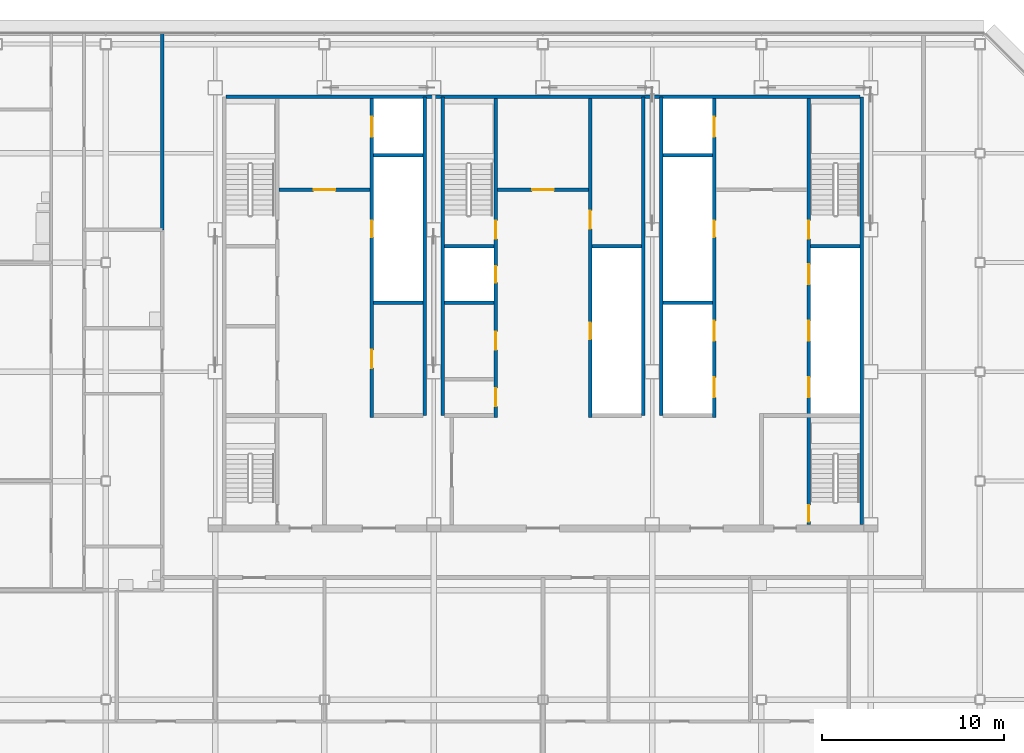
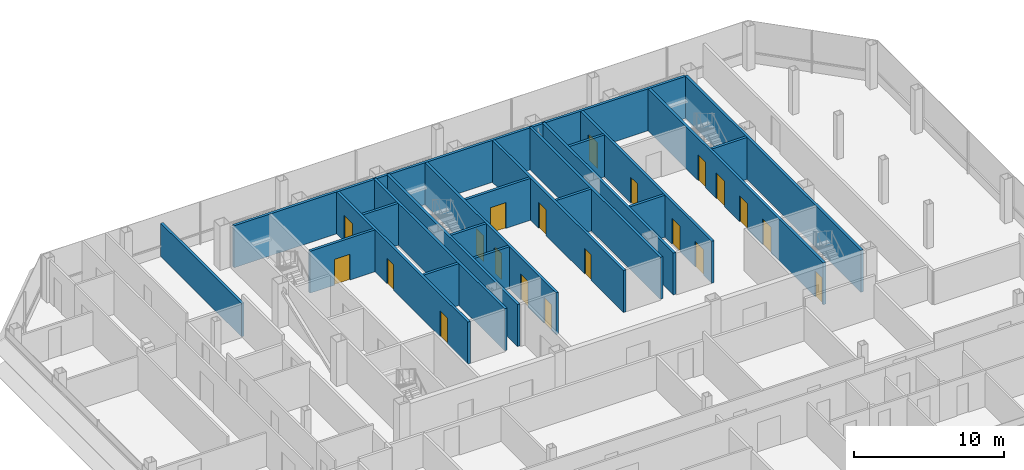
# One storey, part 24 of 27: 22 walls, 20 doors, 20 openings.
"""IFC4 building model written with IfcOpenShell, lengths in metres."""

from ifc_helpers import new_model, si_unit, direction, frame, frame_2d, origin, place, context, subcontext, project, spatial, rectangle, extrude, material, layer, layer_set, type_object, element, fill, save


model = new_model("IFC4")

# Units and contexts
model_context = context("Model", 3, precision=1e-05, world=origin(), true_north=direction((0.0, 1.0)))
body_context = subcontext(model_context, "Body", "Model", "MODEL_VIEW")
ifc_project = project(units=[si_unit("LENGTHUNIT", "METRE"), si_unit("AREAUNIT", "SQUARE_METRE"), si_unit("VOLUMEUNIT", "CUBIC_METRE"), si_unit("PLANEANGLEUNIT", "RADIAN"), si_unit("MASSUNIT", "GRAM", prefix="KILO")], contexts=[model_context])

# Site, building, storey
site_placement = place(None, origin())
site = spatial("IfcSite", under=ifc_project, at=site_placement, CompositionType="ELEMENT")
building_placement = place(site_placement, origin())
building = spatial("IfcBuilding", under=site, at=building_placement, Name="Sorahane Residences", CompositionType="ELEMENT")
storey_placement = place(building_placement, frame((0.0, 0.0, 246.800048828125)))
storey = spatial("IfcBuildingStorey", under=building, at=storey_placement, Name="L58", CompositionType="ELEMENT", Elevation=246.800048828125)

# Walls
ifc_material_1 = material(Name="Concrete C30", Category="concrete")
ifc_layer_1 = layer(ifc_material_1, 0.199951171875)
ifc_layer_set_1 = layer_set([ifc_layer_1], Name="Core face wall 200 EI 180")
wall_type_1 = type_object("IfcWallType", Name="Core face wall 200 EI 180", PredefinedType="SOLIDWALL", material=ifc_layer_set_1)
wall_1_placement = place(storey_placement, frame((41.5, 21.60009765625, 0.0), z_axis=(0.0, 0.0, 1.0), x_axis=(0.0, 1.0, 0.0)))
element("IfcWall", 1, at=wall_1_placement, inside=storey, type_object=wall_type_1, Name="L58 core face wall", PredefinedType="SOLIDWALL", context=body_context, shape_type="SweptSolid", body=[
    extrude(rectangle(XDim=23.5, YDim=0.199951171875, at=frame_2d((11.75, 0.0))), origin(), (0.0, 0.0, 1.0), 3.419921875),
])
wall_2_placement = place(storey_placement, frame((6.60009765625, 45.10009765625, 0.0), z_axis=(0.0, 0.0, 1.0), x_axis=(1.0, 0.0, 0.0)))
element("IfcWall", 2, at=wall_2_placement, inside=storey, type_object=wall_type_1, Name="L58 core face wall", PredefinedType="SOLIDWALL", context=body_context, shape_type="SweptSolid", body=[
    extrude(rectangle(XDim=34.7998046875, YDim=0.199951171875, at=frame_2d((17.39990234375, 0.0))), origin(), (0.0, 0.0, 1.0), 3.419921875),
])
for number, where, z_axis, x_axis, name in (
    (3, (17.5, 27.60009765625, 0.0), (0.0, 0.0, 1.0), (0.0, 1.0, 0.0), "L58 core face wall"),
    (4, (18.5, 27.60009765625, 0.0), (0.0, 0.0, 1.0), (0.0, 1.0, 0.0), "L58 core face wall"),
    (5, (29.5, 27.60009765625, 0.0), (0.0, 0.0, 1.0), (0.0, 1.0, 0.0), "L58 core face wall"),
    (6, (30.5, 27.60009765625, 0.0), (0.0, 0.0, 1.0), (0.0, 1.0, 0.0), "L58 core face wall"),
):
    element("IfcWall", number, at=place(storey_placement, frame(where, z_axis=z_axis, x_axis=x_axis)), inside=storey, type_object=wall_type_1, Name=name, PredefinedType="SOLIDWALL", context=body_context, shape_type="SweptSolid", body=[
        extrude(rectangle(XDim=17.5, YDim=0.199951171875, at=frame_2d((8.75, 0.0))), origin(), (0.0, 0.0, 1.0), 3.419921875),
    ])
ifc_material_2 = material(Name="Concrete blockwork C20 wall", Category="masonry")
ifc_layer_2 = layer(ifc_material_2, 0.199951171875)
ifc_layer_set_2 = layer_set([ifc_layer_2], Name="Corridor wall 200 EI 120")
wall_type_2 = type_object("IfcWallType", Name="Corridor wall 200 EI 120", PredefinedType="SOLIDWALL", material=ifc_layer_set_2)
wall_3_placement = place(storey_placement, frame((3.10009765625, 37.800048828125, 0.0), z_axis=(0.0, 0.0, 1.0), x_axis=(0.0, 1.0, 0.0)))
element("IfcWall", 7, at=wall_3_placement, inside=storey, type_object=wall_type_2, Name="L58 corridor wall", PredefinedType="SOLIDWALL", context=body_context, shape_type="SweptSolid", body=[
    extrude(rectangle(XDim=10.800048828125, YDim=0.199951171875, at=frame_2d((5.39990234375, 0.0))), origin(), (0.0, 0.0, 1.0), 2.719970703125),
])

# Wall, opening, door
ifc_material_3 = material(Name="Concrete C30", Category="concrete")
ifc_layer_3 = layer(ifc_material_3, 0.199951171875)
ifc_layer_set_3 = layer_set([ifc_layer_3], Name="Front room wall 200 EI 120")
wall_type_3 = type_object("IfcWallType", Name="Front room wall 200 EI 120", PredefinedType="PARTITIONING", material=ifc_layer_set_3)
wall_4_placement = place(storey_placement, frame((21.5, 40.0, 0.0), z_axis=(0.0, 0.0, 1.0), x_axis=(1.0, 0.0, 0.0)))
wall_4 = element("IfcWall", 8, at=wall_4_placement, inside=storey, type_object=wall_type_3, Name="L58 front room wall", PredefinedType="PARTITIONING", context=body_context, shape_type="SweptSolid", body=[
    extrude(rectangle(XDim=5.0, YDim=0.199951171875, at=frame_2d((2.5, 0.0))), origin(), (0.0, 0.0, 1.0), 3.419921875),
])
opening_1_placement = place(wall_4_placement, frame((1.89990234375, 0.0, 0.0)))
opening_1 = element("IfcOpeningElement", 9, at=opening_1_placement, cuts=wall_4, Name="Opening L58-C08", PredefinedType="OPENING", context=body_context, shape_type="SweptSolid", body=[
    extrude(rectangle(XDim=1.199951171875, YDim=2.10009765625, at=frame_2d((0.60009765625, 1.050048828125))), frame((0.0, 0.10986328125, 0.0), z_axis=(0.0, -1.0, 0.0), x_axis=(1.0, 0.0, 0.0)), (0.0, 0.0, 1.0), 0.219970703125),
])
ifc_material_4 = material(Name="Steel", Category="steel")
door_type_1 = type_object("IfcDoorType", Name="Front room door 1200x2100 FD120", OperationType="NOTDEFINED", PredefinedType="DOOR", material=ifc_material_4)
door_1_placement = place(opening_1_placement, frame((1.199951171875, 0.0, 0.0), z_axis=(0.0, 0.0, 1.0), x_axis=(-1.0, 0.0, 0.0)))
door_1 = element("IfcDoor", 10, at=door_1_placement, inside=storey, type_object=door_type_1, Name="Front room door Stair S3 vestibule L58", OperationType="DOUBLE_DOOR_SINGLE_SWING", OverallHeight=2.10009765625, OverallWidth=1.199951171875, PredefinedType="DOOR", context=body_context, shape_type="SweptSolid", body=[
    extrude(rectangle(XDim=1.199951171875, YDim=2.10009765625, at=frame_2d((0.60009765625, 1.050048828125))), frame((0.0, 0.02490234375, 0.0), z_axis=(0.0, -1.0, 0.0), x_axis=(1.0, 0.0, 0.0)), (0.0, 0.0, 1.0), 0.050048828125),
])
fill(opening_1, door_1)

wall_5_placement = place(storey_placement, frame((9.5, 40.0, 0.0), z_axis=(0.0, 0.0, 1.0), x_axis=(1.0, 0.0, 0.0)))
wall_5 = element("IfcWall", 11, at=wall_5_placement, inside=storey, type_object=wall_type_3, Name="L58 front room wall", PredefinedType="PARTITIONING", context=body_context, shape_type="SweptSolid", body=[
    extrude(rectangle(XDim=5.0, YDim=0.199951171875, at=frame_2d((2.5, 0.0))), origin(), (0.0, 0.0, 1.0), 3.419921875),
])
opening_2_placement = place(wall_5_placement, frame((1.89990234375, 0.0, 0.0)))
opening_2 = element("IfcOpeningElement", 12, at=opening_2_placement, cuts=wall_5, Name="Opening L58-C07", PredefinedType="OPENING", context=body_context, shape_type="SweptSolid", body=[
    extrude(rectangle(XDim=1.199951171875, YDim=2.10009765625, at=frame_2d((0.60009765625, 1.050048828125))), frame((0.0, 0.10986328125, 0.0), z_axis=(0.0, -1.0, 0.0), x_axis=(1.0, 0.0, 0.0)), (0.0, 0.0, 1.0), 0.219970703125),
])
door_2_placement = place(opening_2_placement, frame((1.199951171875, 0.0, 0.0), z_axis=(0.0, 0.0, 1.0), x_axis=(-1.0, 0.0, 0.0)))
door_2 = element("IfcDoor", 13, at=door_2_placement, inside=storey, type_object=door_type_1, Name="Front room door Firefighting lobby FF1 front room L58", OperationType="DOUBLE_DOOR_SINGLE_SWING", OverallHeight=2.10009765625, OverallWidth=1.199951171875, PredefinedType="DOOR", context=body_context, shape_type="SweptSolid", body=[
    extrude(rectangle(XDim=1.199951171875, YDim=2.10009765625, at=frame_2d((0.60009765625, 1.050048828125))), frame((0.0, 0.02490234375, 0.0), z_axis=(0.0, -1.0, 0.0), x_axis=(1.0, 0.0, 0.0)), (0.0, 0.0, 1.0), 0.050048828125),
])
fill(opening_2, door_2)

# Wall, openings, doors
ifc_material_5 = material(Name="Concrete C30", Category="concrete")
ifc_layer_4 = layer(ifc_material_5, 0.199951171875)
ifc_layer_set_4 = layer_set([ifc_layer_4], Name="Lift shaft wall 200 EI 120")
wall_type_4 = type_object("IfcWallType", Name="Lift shaft wall 200 EI 120", PredefinedType="SOLIDWALL", material=ifc_layer_set_4)
wall_6_placement = place(storey_placement, frame((14.60009765625, 27.5, 0.0), z_axis=(0.0, 0.0, 1.0), x_axis=(0.0, 1.0, 0.0)))
wall_6 = element("IfcWall", 14, at=wall_6_placement, inside=storey, type_object=wall_type_4, Name="L58 lift shaft wall", PredefinedType="SOLIDWALL", context=body_context, shape_type="SweptSolid", body=[
    extrude(rectangle(XDim=17.5, YDim=0.199951171875, at=frame_2d((8.75, 0.0))), origin(), (0.0, 0.0, 1.0), 3.419921875),
])
opening_3_placement = place(wall_6_placement, frame((15.39990234375, 0.0, 0.0)))
opening_3 = element("IfcOpeningElement", 15, at=opening_3_placement, cuts=wall_6, Name="Opening L58-C16", PredefinedType="OPENING", context=body_context, shape_type="SweptSolid", body=[
    extrude(rectangle(XDim=1.10009765625, YDim=2.10009765625, at=frame_2d((0.550048828125, 1.050048828125))), frame((0.0, 0.10986328125, 0.0), z_axis=(0.0, -1.0, 0.0), x_axis=(1.0, 0.0, 0.0)), (0.0, 0.0, 1.0), 0.219970703125),
])
opening_4_placement = place(wall_6_placement, frame((2.699951171875, 0.0, 0.0)))
opening_4 = element("IfcOpeningElement", 16, at=opening_4_placement, cuts=wall_6, Name="Opening L58-C19", PredefinedType="OPENING", context=body_context, shape_type="SweptSolid", body=[
    extrude(rectangle(XDim=1.0, YDim=2.10009765625, at=frame_2d((0.5, 1.050048828125))), frame((0.0, 0.10986328125, 0.0), z_axis=(0.0, -1.0, 0.0), x_axis=(1.0, 0.0, 0.0)), (0.0, 0.0, 1.0), 0.219970703125),
])
opening_5_placement = place(wall_6_placement, frame((9.89990234375, 0.0, 0.0)))
opening_5 = element("IfcOpeningElement", 17, at=opening_5_placement, cuts=wall_6, Name="Opening L58-C27", PredefinedType="OPENING", context=body_context, shape_type="SweptSolid", body=[
    extrude(rectangle(XDim=0.89990234375, YDim=2.10009765625, at=frame_2d((0.449951171875, 1.050048828125))), frame((0.0, 0.10986328125, 0.0), z_axis=(0.0, -1.0, 0.0), x_axis=(1.0, 0.0, 0.0)), (0.0, 0.0, 1.0), 0.219970703125),
])
ifc_material_6 = material(Name="Aluminium and stainless steel", Category="steel")
door_type_2 = type_object("IfcDoorType", Name="Lift landing door 1100x2100 E 60", OperationType="NOTDEFINED", PredefinedType="DOOR", material=ifc_material_6)
door_3_placement = place(opening_3_placement, origin())
door_3 = element("IfcDoor", 18, at=door_3_placement, inside=storey, type_object=door_type_2, Name="Lift landing door FF1 L58", OperationType="DOUBLE_DOOR_SLIDING", OverallHeight=2.10009765625, OverallWidth=1.10009765625, PredefinedType="DOOR", context=body_context, shape_type="SweptSolid", body=[
    extrude(rectangle(XDim=1.10009765625, YDim=2.10009765625, at=frame_2d((0.550048828125, 1.050048828125))), frame((0.0, 0.02490234375, 0.0), z_axis=(0.0, -1.0, 0.0), x_axis=(1.0, 0.0, 0.0)), (0.0, 0.0, 1.0), 0.050048828125),
])
fill(opening_3, door_3)
ifc_material_7 = material(Name="Steel", Category="steel")
door_type_3 = type_object("IfcDoorType", Name="Riser door 900x2100 FD120", OperationType="NOTDEFINED", PredefinedType="DOOR", material=ifc_material_7)
door_4_placement = place(opening_5_placement, origin())
door_4 = element("IfcDoor", 19, at=door_4_placement, inside=storey, type_object=door_type_3, Name="Riser door R1 L58", OperationType="SINGLE_SWING_LEFT", OverallHeight=2.10009765625, OverallWidth=0.89990234375, PredefinedType="DOOR", context=body_context, shape_type="SweptSolid", body=[
    extrude(rectangle(XDim=0.89990234375, YDim=2.10009765625, at=frame_2d((0.449951171875, 1.050048828125))), frame((0.0, 0.02490234375, 0.0), z_axis=(0.0, -1.0, 0.0), x_axis=(1.0, 0.0, 0.0)), (0.0, 0.0, 1.0), 0.050048828125),
])
fill(opening_5, door_4)
ifc_material_8 = material(Name="Steel", Category="steel")
door_type_4 = type_object("IfcDoorType", Name="Service room door 1000x2100 FD60", OperationType="NOTDEFINED", PredefinedType="DOOR", material=ifc_material_8)
door_5_placement = place(opening_4_placement, frame((1.0, 0.0, 0.0), z_axis=(0.0, 0.0, 1.0), x_axis=(-1.0, 0.0, 0.0)))
door_5 = element("IfcDoor", 20, at=door_5_placement, inside=storey, type_object=door_type_4, Name="Service room door Guest suite store L58", OperationType="SINGLE_SWING_RIGHT", OverallHeight=2.10009765625, OverallWidth=1.0, PredefinedType="DOOR", context=body_context, shape_type="SweptSolid", body=[
    extrude(rectangle(XDim=1.0, YDim=2.10009765625, at=frame_2d((0.5, 1.050048828125))), frame((0.0, 0.02490234375, 0.0), z_axis=(0.0, -1.0, 0.0), x_axis=(1.0, 0.0, 0.0)), (0.0, 0.0, 1.0), 0.050048828125),
])
fill(opening_4, door_5)

wall_7_placement = place(storey_placement, frame((33.39990234375, 27.5, 0.0), z_axis=(0.0, 0.0, 1.0), x_axis=(0.0, 1.0, 0.0)))
wall_7 = element("IfcWall", 21, at=wall_7_placement, inside=storey, type_object=wall_type_4, Name="L58 lift shaft wall", PredefinedType="SOLIDWALL", context=body_context, shape_type="SweptSolid", body=[
    extrude(rectangle(XDim=17.5, YDim=0.199951171875, at=frame_2d((8.75, 0.0))), origin(), (0.0, 0.0, 1.0), 3.419921875),
])
opening_6_placement = place(wall_7_placement, frame((1.10009765625, 0.0, 0.0)))
opening_6 = element("IfcOpeningElement", 22, at=opening_6_placement, cuts=wall_7, Name="Opening L58-C13", PredefinedType="OPENING", context=body_context, shape_type="SweptSolid", body=[
    extrude(rectangle(XDim=1.10009765625, YDim=2.10009765625, at=frame_2d((0.550048828125, 1.050048828125))), frame((0.0, 0.10986328125, 0.0), z_axis=(0.0, -1.0, 0.0), x_axis=(1.0, 0.0, 0.0)), (0.0, 0.0, 1.0), 0.219970703125),
])
opening_7_placement = place(wall_7_placement, frame((4.199951171875, 0.0, 0.0)))
opening_7 = element("IfcOpeningElement", 23, at=opening_7_placement, cuts=wall_7, Name="Opening L58-C14", PredefinedType="OPENING", context=body_context, shape_type="SweptSolid", body=[
    extrude(rectangle(XDim=1.10009765625, YDim=2.10009765625, at=frame_2d((0.550048828125, 1.050048828125))), frame((0.0, 0.10986328125, 0.0), z_axis=(0.0, -1.0, 0.0), x_axis=(1.0, 0.0, 0.0)), (0.0, 0.0, 1.0), 0.219970703125),
])
opening_8_placement = place(wall_7_placement, frame((15.39990234375, 0.0, 0.0)))
opening_8 = element("IfcOpeningElement", 24, at=opening_8_placement, cuts=wall_7, Name="Opening L58-C15", PredefinedType="OPENING", context=body_context, shape_type="SweptSolid", body=[
    extrude(rectangle(XDim=1.10009765625, YDim=2.10009765625, at=frame_2d((0.550048828125, 1.050048828125))), frame((0.0, 0.10986328125, 0.0), z_axis=(0.0, -1.0, 0.0), x_axis=(1.0, 0.0, 0.0)), (0.0, 0.0, 1.0), 0.219970703125),
])
opening_9_placement = place(wall_7_placement, frame((9.89990234375, 0.0, 0.0)))
opening_9 = element("IfcOpeningElement", 25, at=opening_9_placement, cuts=wall_7, Name="Opening L58-C28", PredefinedType="OPENING", context=body_context, shape_type="SweptSolid", body=[
    extrude(rectangle(XDim=0.89990234375, YDim=2.10009765625, at=frame_2d((0.449951171875, 1.050048828125))), frame((0.0, 0.10986328125, 0.0), z_axis=(0.0, -1.0, 0.0), x_axis=(1.0, 0.0, 0.0)), (0.0, 0.0, 1.0), 0.219970703125),
])
door_6_placement = place(opening_6_placement, origin())
door_6 = element("IfcDoor", 26, at=door_6_placement, inside=storey, type_object=door_type_2, Name="Lift landing door HR4 L58", OperationType="DOUBLE_DOOR_SLIDING", OverallHeight=2.10009765625, OverallWidth=1.10009765625, PredefinedType="DOOR", context=body_context, shape_type="SweptSolid", body=[
    extrude(rectangle(XDim=1.10009765625, YDim=2.10009765625, at=frame_2d((0.550048828125, 1.050048828125))), frame((0.0, 0.02490234375, 0.0), z_axis=(0.0, -1.0, 0.0), x_axis=(1.0, 0.0, 0.0)), (0.0, 0.0, 1.0), 0.050048828125),
])
fill(opening_6, door_6)
door_7_placement = place(opening_7_placement, origin())
door_7 = element("IfcDoor", 27, at=door_7_placement, inside=storey, type_object=door_type_2, Name="Lift landing door HR5 L58", OperationType="DOUBLE_DOOR_SLIDING", OverallHeight=2.10009765625, OverallWidth=1.10009765625, PredefinedType="DOOR", context=body_context, shape_type="SweptSolid", body=[
    extrude(rectangle(XDim=1.10009765625, YDim=2.10009765625, at=frame_2d((0.550048828125, 1.050048828125))), frame((0.0, 0.02490234375, 0.0), z_axis=(0.0, -1.0, 0.0), x_axis=(1.0, 0.0, 0.0)), (0.0, 0.0, 1.0), 0.050048828125),
])
fill(opening_7, door_7)
door_8_placement = place(opening_8_placement, origin())
door_8 = element("IfcDoor", 28, at=door_8_placement, inside=storey, type_object=door_type_2, Name="Lift landing door FF2 L58", OperationType="DOUBLE_DOOR_SLIDING", OverallHeight=2.10009765625, OverallWidth=1.10009765625, PredefinedType="DOOR", context=body_context, shape_type="SweptSolid", body=[
    extrude(rectangle(XDim=1.10009765625, YDim=2.10009765625, at=frame_2d((0.550048828125, 1.050048828125))), frame((0.0, 0.02490234375, 0.0), z_axis=(0.0, -1.0, 0.0), x_axis=(1.0, 0.0, 0.0)), (0.0, 0.0, 1.0), 0.050048828125),
])
fill(opening_8, door_8)
door_9_placement = place(opening_9_placement, frame((0.89990234375, 0.0, 0.0), z_axis=(0.0, 0.0, 1.0), x_axis=(-1.0, 0.0, 0.0)))
door_9 = element("IfcDoor", 29, at=door_9_placement, inside=storey, type_object=door_type_3, Name="Riser door R2 L58", OperationType="SINGLE_SWING_LEFT", OverallHeight=2.10009765625, OverallWidth=0.89990234375, PredefinedType="DOOR", context=body_context, shape_type="SweptSolid", body=[
    extrude(rectangle(XDim=0.89990234375, YDim=2.10009765625, at=frame_2d((0.449951171875, 1.050048828125))), frame((0.0, 0.02490234375, 0.0), z_axis=(0.0, -1.0, 0.0), x_axis=(1.0, 0.0, 0.0)), (0.0, 0.0, 1.0), 0.050048828125),
])
fill(opening_9, door_9)

# Walls
for number, where, z_axis, x_axis, name in (
    (30, (30.60009765625, 33.800048828125, 0.0), (0.0, 0.0, 1.0), (1.0, 0.0, 0.0), "L58 lift shaft wall"),
    (31, (14.699951171875, 41.89990234375, 0.0), (0.0, 0.0, 1.0), (1.0, 0.0, 0.0), "L58 lift shaft wall"),
    (32, (30.60009765625, 41.89990234375, 0.0), (0.0, 0.0, 1.0), (1.0, 0.0, 0.0), "L58 lift shaft wall"),
):
    element("IfcWall", number, at=place(storey_placement, frame(where, z_axis=z_axis, x_axis=x_axis)), inside=storey, type_object=wall_type_4, Name=name, PredefinedType="SOLIDWALL", context=body_context, shape_type="SweptSolid", body=[
        extrude(rectangle(XDim=2.699951171875, YDim=0.199951171875, at=frame_2d((1.35009765625, 0.0))), origin(), (0.0, 0.0, 1.0), 3.419921875),
    ])

# Wall, openings, doors
ifc_material_9 = material(Name="Concrete C30", Category="concrete")
ifc_layer_5 = layer(ifc_material_9, 0.199951171875)
ifc_layer_set_5 = layer_set([ifc_layer_5], Name="Riser shaft wall 200 EI 120")
wall_type_5 = type_object("IfcWallType", Name="Riser shaft wall 200 EI 120", PredefinedType="SOLIDWALL", material=ifc_layer_set_5)
wall_8_placement = place(storey_placement, frame((26.60009765625, 27.5, 0.0), z_axis=(0.0, 0.0, 1.0), x_axis=(0.0, 1.0, 0.0)))
wall_8 = element("IfcWall", 33, at=wall_8_placement, inside=storey, type_object=wall_type_5, Name="L58 riser wall", PredefinedType="SOLIDWALL", context=body_context, shape_type="SweptSolid", body=[
    extrude(rectangle(XDim=17.5, YDim=0.199951171875, at=frame_2d((8.75, 0.0))), origin(), (0.0, 0.0, 1.0), 3.419921875),
])
opening_10_placement = place(wall_8_placement, frame((4.300048828125, 0.0, 0.0)))
opening_10 = element("IfcOpeningElement", 34, at=opening_10_placement, cuts=wall_8, Name="Opening L58-C30", PredefinedType="OPENING", context=body_context, shape_type="SweptSolid", body=[
    extrude(rectangle(XDim=0.89990234375, YDim=2.10009765625, at=frame_2d((0.449951171875, 1.050048828125))), frame((0.0, 0.10986328125, 0.0), z_axis=(0.0, -1.0, 0.0), x_axis=(1.0, 0.0, 0.0)), (0.0, 0.0, 1.0), 0.219970703125),
])
opening_11_placement = place(wall_8_placement, frame((10.35009765625, 0.0, 0.0)))
opening_11 = element("IfcOpeningElement", 35, at=opening_11_placement, cuts=wall_8, Name="Opening L58-C31", PredefinedType="OPENING", context=body_context, shape_type="SweptSolid", body=[
    extrude(rectangle(XDim=1.0, YDim=2.10009765625, at=frame_2d((0.5, 1.050048828125))), frame((0.0, 0.10986328125, 0.0), z_axis=(0.0, -1.0, 0.0), x_axis=(1.0, 0.0, 0.0)), (0.0, 0.0, 1.0), 0.219970703125),
])
door_10_placement = place(opening_10_placement, origin())
door_10 = element("IfcDoor", 36, at=door_10_placement, inside=storey, type_object=door_type_3, Name="Riser door R4 L58", OperationType="SINGLE_SWING_LEFT", OverallHeight=2.10009765625, OverallWidth=0.89990234375, PredefinedType="DOOR", context=body_context, shape_type="SweptSolid", body=[
    extrude(rectangle(XDim=0.89990234375, YDim=2.10009765625, at=frame_2d((0.449951171875, 1.050048828125))), frame((0.0, 0.02490234375, 0.0), z_axis=(0.0, -1.0, 0.0), x_axis=(1.0, 0.0, 0.0)), (0.0, 0.0, 1.0), 0.050048828125),
])
fill(opening_10, door_10)
door_11_placement = place(opening_11_placement, frame((1.0, 0.0, 0.0), z_axis=(0.0, 0.0, 1.0), x_axis=(-1.0, 0.0, 0.0)))
door_11 = element("IfcDoor", 37, at=door_11_placement, inside=storey, type_object=door_type_4, Name="Service room door Housekeeping store L58", OperationType="SINGLE_SWING_LEFT", OverallHeight=2.10009765625, OverallWidth=1.0, PredefinedType="DOOR", context=body_context, shape_type="SweptSolid", body=[
    extrude(rectangle(XDim=1.0, YDim=2.10009765625, at=frame_2d((0.5, 1.050048828125))), frame((0.0, 0.02490234375, 0.0), z_axis=(0.0, -1.0, 0.0), x_axis=(1.0, 0.0, 0.0)), (0.0, 0.0, 1.0), 0.050048828125),
])
fill(opening_11, door_11)

# Walls
for number, where, z_axis, x_axis, name in (
    (38, (14.699951171875, 33.800048828125, 0.0), (0.0, 0.0, 1.0), (1.0, 0.0, 0.0), "L58 riser wall"),
    (39, (18.60009765625, 33.800048828125, 0.0), (0.0, 0.0, 1.0), (1.0, 0.0, 0.0), "L58 riser wall"),
    (40, (26.699951171875, 36.89990234375, 0.0), (0.0, 0.0, 1.0), (1.0, 0.0, 0.0), "L58 riser wall"),
):
    element("IfcWall", number, at=place(storey_placement, frame(where, z_axis=z_axis, x_axis=x_axis)), inside=storey, type_object=wall_type_5, Name=name, PredefinedType="SOLIDWALL", context=body_context, shape_type="SweptSolid", body=[
        extrude(rectangle(XDim=2.699951171875, YDim=0.199951171875, at=frame_2d((1.35009765625, 0.0))), origin(), (0.0, 0.0, 1.0), 3.419921875),
    ])

# Wall, openings, doors
ifc_material_10 = material(Name="Concrete C30", Category="concrete")
ifc_layer_6 = layer(ifc_material_10, 0.199951171875)
ifc_layer_set_6 = layer_set([ifc_layer_6], Name="Stair enclosure wall 200 EI 120")
wall_type_6 = type_object("IfcWallType", Name="Stair enclosure wall 200 EI 120", PredefinedType="SOLIDWALL", material=ifc_layer_set_6)
wall_9_placement = place(storey_placement, frame((21.39990234375, 27.5, 0.0), z_axis=(0.0, 0.0, 1.0), x_axis=(0.0, 1.0, 0.0)))
wall_9 = element("IfcWall", 41, at=wall_9_placement, inside=storey, type_object=wall_type_6, Name="L58 stair enclosure wall", PredefinedType="SOLIDWALL", context=body_context, shape_type="SweptSolid", body=[
    extrude(rectangle(XDim=17.5, YDim=0.199951171875, at=frame_2d((8.75, 0.0))), origin(), (0.0, 0.0, 1.0), 3.419921875),
])
opening_12_placement = place(wall_9_placement, frame((0.60009765625, 0.0, 0.0)))
opening_12 = element("IfcOpeningElement", 42, at=opening_12_placement, cuts=wall_9, Name="Opening L58-C17", PredefinedType="OPENING", context=body_context, shape_type="SweptSolid", body=[
    extrude(rectangle(XDim=1.0, YDim=2.10009765625, at=frame_2d((0.5, 1.050048828125))), frame((0.0, 0.10986328125, 0.0), z_axis=(0.0, -1.0, 0.0), x_axis=(1.0, 0.0, 0.0)), (0.0, 0.0, 1.0), 0.219970703125),
])
opening_13_placement = place(wall_9_placement, frame((3.699951171875, 0.0, 0.0)))
opening_13 = element("IfcOpeningElement", 43, at=opening_13_placement, cuts=wall_9, Name="Opening L58-C18", PredefinedType="OPENING", context=body_context, shape_type="SweptSolid", body=[
    extrude(rectangle(XDim=1.0, YDim=2.10009765625, at=frame_2d((0.5, 1.050048828125))), frame((0.0, 0.10986328125, 0.0), z_axis=(0.0, -1.0, 0.0), x_axis=(1.0, 0.0, 0.0)), (0.0, 0.0, 1.0), 0.219970703125),
])
opening_14_placement = place(wall_9_placement, frame((9.800048828125, 0.0, 0.0)))
opening_14 = element("IfcOpeningElement", 44, at=opening_14_placement, cuts=wall_9, Name="Opening L58-C24", PredefinedType="OPENING", context=body_context, shape_type="SweptSolid", body=[
    extrude(rectangle(XDim=1.0, YDim=2.10009765625, at=frame_2d((0.5, 1.050048828125))), frame((0.0, 0.10986328125, 0.0), z_axis=(0.0, -1.0, 0.0), x_axis=(1.0, 0.0, 0.0)), (0.0, 0.0, 1.0), 0.219970703125),
])
opening_15_placement = place(wall_9_placement, frame((7.39990234375, 0.0, 0.0)))
opening_15 = element("IfcOpeningElement", 45, at=opening_15_placement, cuts=wall_9, Name="Opening L58-C29", PredefinedType="OPENING", context=body_context, shape_type="SweptSolid", body=[
    extrude(rectangle(XDim=0.89990234375, YDim=2.10009765625, at=frame_2d((0.449951171875, 1.050048828125))), frame((0.0, 0.10986328125, 0.0), z_axis=(0.0, -1.0, 0.0), x_axis=(1.0, 0.0, 0.0)), (0.0, 0.0, 1.0), 0.219970703125),
])
door_12_placement = place(opening_15_placement, frame((0.89990234375, 0.0, 0.0), z_axis=(0.0, 0.0, 1.0), x_axis=(-1.0, 0.0, 0.0)))
door_12 = element("IfcDoor", 46, at=door_12_placement, inside=storey, type_object=door_type_3, Name="Riser door R3 L58", OperationType="SINGLE_SWING_LEFT", OverallHeight=2.10009765625, OverallWidth=0.89990234375, PredefinedType="DOOR", context=body_context, shape_type="SweptSolid", body=[
    extrude(rectangle(XDim=0.89990234375, YDim=2.10009765625, at=frame_2d((0.449951171875, 1.050048828125))), frame((0.0, 0.02490234375, 0.0), z_axis=(0.0, -1.0, 0.0), x_axis=(1.0, 0.0, 0.0)), (0.0, 0.0, 1.0), 0.050048828125),
])
fill(opening_15, door_12)
door_13_placement = place(opening_12_placement, origin())
door_13 = element("IfcDoor", 47, at=door_13_placement, inside=storey, type_object=door_type_4, Name="Service room door Linen store L58", OperationType="SINGLE_SWING_LEFT", OverallHeight=2.10009765625, OverallWidth=1.0, PredefinedType="DOOR", context=body_context, shape_type="SweptSolid", body=[
    extrude(rectangle(XDim=1.0, YDim=2.10009765625, at=frame_2d((0.5, 1.050048828125))), frame((0.0, 0.02490234375, 0.0), z_axis=(0.0, -1.0, 0.0), x_axis=(1.0, 0.0, 0.0)), (0.0, 0.0, 1.0), 0.050048828125),
])
fill(opening_12, door_13)
door_14_placement = place(opening_13_placement, origin())
door_14 = element("IfcDoor", 48, at=door_14_placement, inside=storey, type_object=door_type_4, Name="Service room door Linen store L58", OperationType="SINGLE_SWING_RIGHT", OverallHeight=2.10009765625, OverallWidth=1.0, PredefinedType="DOOR", context=body_context, shape_type="SweptSolid", body=[
    extrude(rectangle(XDim=1.0, YDim=2.10009765625, at=frame_2d((0.5, 1.050048828125))), frame((0.0, 0.02490234375, 0.0), z_axis=(0.0, -1.0, 0.0), x_axis=(1.0, 0.0, 0.0)), (0.0, 0.0, 1.0), 0.050048828125),
])
fill(opening_13, door_14)
ifc_material_11 = material(Name="Steel", Category="steel")
door_type_5 = type_object("IfcDoorType", Name="Stair door 1000x2100 FD120", OperationType="NOTDEFINED", PredefinedType="DOOR", material=ifc_material_11)
door_15_placement = place(opening_14_placement, origin())
door_15 = element("IfcDoor", 49, at=door_15_placement, inside=storey, type_object=door_type_5, Name="Stair door S3 L58", OperationType="SINGLE_SWING_LEFT", OverallHeight=2.10009765625, OverallWidth=1.0, PredefinedType="DOOR", context=body_context, shape_type="SweptSolid", body=[
    extrude(rectangle(XDim=1.0, YDim=2.10009765625, at=frame_2d((0.5, 1.050048828125))), frame((0.0, 0.02490234375, 0.0), z_axis=(0.0, -1.0, 0.0), x_axis=(1.0, 0.0, 0.0)), (0.0, 0.0, 1.0), 0.050048828125),
])
fill(opening_14, door_15)

wall_10_placement = place(storey_placement, frame((38.60009765625, 21.60009765625, 0.0), z_axis=(0.0, 0.0, 1.0), x_axis=(0.0, 1.0, 0.0)))
wall_10 = element("IfcWall", 50, at=wall_10_placement, inside=storey, type_object=wall_type_6, Name="L58 stair enclosure wall", PredefinedType="SOLIDWALL", context=body_context, shape_type="SweptSolid", body=[
    extrude(rectangle(XDim=23.39990234375, YDim=0.199951171875, at=frame_2d((11.699951171875, 0.0))), origin(), (0.0, 0.0, 1.0), 3.419921875),
])
opening_16_placement = place(wall_10_placement, frame((7.0, 0.0, 0.0)))
opening_16 = element("IfcOpeningElement", 51, at=opening_16_placement, cuts=wall_10, Name="Opening L58-C10", PredefinedType="OPENING", context=body_context, shape_type="SweptSolid", body=[
    extrude(rectangle(XDim=1.10009765625, YDim=2.10009765625, at=frame_2d((0.550048828125, 1.050048828125))), frame((0.0, 0.10986328125, 0.0), z_axis=(0.0, -1.0, 0.0), x_axis=(1.0, 0.0, 0.0)), (0.0, 0.0, 1.0), 0.219970703125),
])
opening_17_placement = place(wall_10_placement, frame((10.10009765625, 0.0, 0.0)))
opening_17 = element("IfcOpeningElement", 52, at=opening_17_placement, cuts=wall_10, Name="Opening L58-C11", PredefinedType="OPENING", context=body_context, shape_type="SweptSolid", body=[
    extrude(rectangle(XDim=1.10009765625, YDim=2.10009765625, at=frame_2d((0.550048828125, 1.050048828125))), frame((0.0, 0.10986328125, 0.0), z_axis=(0.0, -1.0, 0.0), x_axis=(1.0, 0.0, 0.0)), (0.0, 0.0, 1.0), 0.219970703125),
])
opening_18_placement = place(wall_10_placement, frame((13.199951171875, 0.0, 0.0)))
opening_18 = element("IfcOpeningElement", 53, at=opening_18_placement, cuts=wall_10, Name="Opening L58-C12", PredefinedType="OPENING", context=body_context, shape_type="SweptSolid", body=[
    extrude(rectangle(XDim=1.10009765625, YDim=2.10009765625, at=frame_2d((0.550048828125, 1.050048828125))), frame((0.0, 0.10986328125, 0.0), z_axis=(0.0, -1.0, 0.0), x_axis=(1.0, 0.0, 0.0)), (0.0, 0.0, 1.0), 0.219970703125),
])
opening_19_placement = place(wall_10_placement, frame((15.699951171875, 0.0, 0.0)))
opening_19 = element("IfcOpeningElement", 54, at=opening_19_placement, cuts=wall_10, Name="Opening L58-C23", PredefinedType="OPENING", context=body_context, shape_type="SweptSolid", body=[
    extrude(rectangle(XDim=1.0, YDim=2.10009765625, at=frame_2d((0.5, 1.050048828125))), frame((0.0, 0.10986328125, 0.0), z_axis=(0.0, -1.0, 0.0), x_axis=(1.0, 0.0, 0.0)), (0.0, 0.0, 1.0), 0.219970703125),
])
opening_20_placement = place(wall_10_placement, frame((0.175048828125, 0.0, 0.0)))
opening_20 = element("IfcOpeningElement", 55, at=opening_20_placement, cuts=wall_10, Name="Opening L58-C26", PredefinedType="OPENING", context=body_context, shape_type="SweptSolid", body=[
    extrude(rectangle(XDim=0.89990234375, YDim=2.10009765625, at=frame_2d((0.449951171875, 1.050048828125))), frame((0.0, 0.10986328125, 0.0), z_axis=(0.0, -1.0, 0.0), x_axis=(1.0, 0.0, 0.0)), (0.0, 0.0, 1.0), 0.219970703125),
])
door_16_placement = place(opening_16_placement, origin())
door_16 = element("IfcDoor", 56, at=door_16_placement, inside=storey, type_object=door_type_2, Name="Lift landing door HR1 L58", OperationType="DOUBLE_DOOR_SLIDING", OverallHeight=2.10009765625, OverallWidth=1.10009765625, PredefinedType="DOOR", context=body_context, shape_type="SweptSolid", body=[
    extrude(rectangle(XDim=1.10009765625, YDim=2.10009765625, at=frame_2d((0.550048828125, 1.050048828125))), frame((0.0, 0.02490234375, 0.0), z_axis=(0.0, -1.0, 0.0), x_axis=(1.0, 0.0, 0.0)), (0.0, 0.0, 1.0), 0.050048828125),
])
fill(opening_16, door_16)
door_17_placement = place(opening_17_placement, origin())
door_17 = element("IfcDoor", 57, at=door_17_placement, inside=storey, type_object=door_type_2, Name="Lift landing door HR2 L58", OperationType="DOUBLE_DOOR_SLIDING", OverallHeight=2.10009765625, OverallWidth=1.10009765625, PredefinedType="DOOR", context=body_context, shape_type="SweptSolid", body=[
    extrude(rectangle(XDim=1.10009765625, YDim=2.10009765625, at=frame_2d((0.550048828125, 1.050048828125))), frame((0.0, 0.02490234375, 0.0), z_axis=(0.0, -1.0, 0.0), x_axis=(1.0, 0.0, 0.0)), (0.0, 0.0, 1.0), 0.050048828125),
])
fill(opening_17, door_17)
door_18_placement = place(opening_18_placement, origin())
door_18 = element("IfcDoor", 58, at=door_18_placement, inside=storey, type_object=door_type_2, Name="Lift landing door HR3 L58", OperationType="DOUBLE_DOOR_SLIDING", OverallHeight=2.10009765625, OverallWidth=1.10009765625, PredefinedType="DOOR", context=body_context, shape_type="SweptSolid", body=[
    extrude(rectangle(XDim=1.10009765625, YDim=2.10009765625, at=frame_2d((0.550048828125, 1.050048828125))), frame((0.0, 0.02490234375, 0.0), z_axis=(0.0, -1.0, 0.0), x_axis=(1.0, 0.0, 0.0)), (0.0, 0.0, 1.0), 0.050048828125),
])
fill(opening_18, door_18)
door_19_placement = place(opening_19_placement, frame((1.0, 0.0, 0.0), z_axis=(0.0, 0.0, 1.0), x_axis=(-1.0, 0.0, 0.0)))
door_19 = element("IfcDoor", 59, at=door_19_placement, inside=storey, type_object=door_type_5, Name="Stair door S2 L58", OperationType="SINGLE_SWING_LEFT", OverallHeight=2.10009765625, OverallWidth=1.0, PredefinedType="DOOR", context=body_context, shape_type="SweptSolid", body=[
    extrude(rectangle(XDim=1.0, YDim=2.10009765625, at=frame_2d((0.5, 1.050048828125))), frame((0.0, 0.02490234375, 0.0), z_axis=(0.0, -1.0, 0.0), x_axis=(1.0, 0.0, 0.0)), (0.0, 0.0, 1.0), 0.050048828125),
])
fill(opening_19, door_19)
ifc_material_12 = material(Name="Steel", Category="steel")
door_type_6 = type_object("IfcDoorType", Name="Stair door 900x2100 FD120", OperationType="NOTDEFINED", PredefinedType="DOOR", material=ifc_material_12)
door_20_placement = place(opening_20_placement, frame((0.89990234375, 0.0, 0.0), z_axis=(0.0, 0.0, 1.0), x_axis=(-1.0, 0.0, 0.0)))
door_20 = element("IfcDoor", 60, at=door_20_placement, inside=storey, type_object=door_type_6, Name="Stair door S5 L58", OperationType="SINGLE_SWING_LEFT", OverallHeight=2.10009765625, OverallWidth=0.89990234375, PredefinedType="DOOR", context=body_context, shape_type="SweptSolid", body=[
    extrude(rectangle(XDim=0.89990234375, YDim=2.10009765625, at=frame_2d((0.449951171875, 1.050048828125))), frame((0.0, 0.02490234375, 0.0), z_axis=(0.0, -1.0, 0.0), x_axis=(1.0, 0.0, 0.0)), (0.0, 0.0, 1.0), 0.050048828125),
])
fill(opening_20, door_20)

# Walls
for number, where, z_axis, x_axis, name in (
    (61, (18.60009765625, 36.89990234375, 0.0), (0.0, 0.0, 1.0), (1.0, 0.0, 0.0), "L58 stair enclosure wall"),
    (62, (38.699951171875, 36.89990234375, 0.0), (0.0, 0.0, 1.0), (1.0, 0.0, 0.0), "L58 stair enclosure wall"),
):
    element("IfcWall", number, at=place(storey_placement, frame(where, z_axis=z_axis, x_axis=x_axis)), inside=storey, type_object=wall_type_6, Name=name, PredefinedType="SOLIDWALL", context=body_context, shape_type="SweptSolid", body=[
        extrude(rectangle(XDim=2.699951171875, YDim=0.199951171875, at=frame_2d((1.35009765625, 0.0))), origin(), (0.0, 0.0, 1.0), 3.419921875),
    ])

save(model, "model.ifc")
